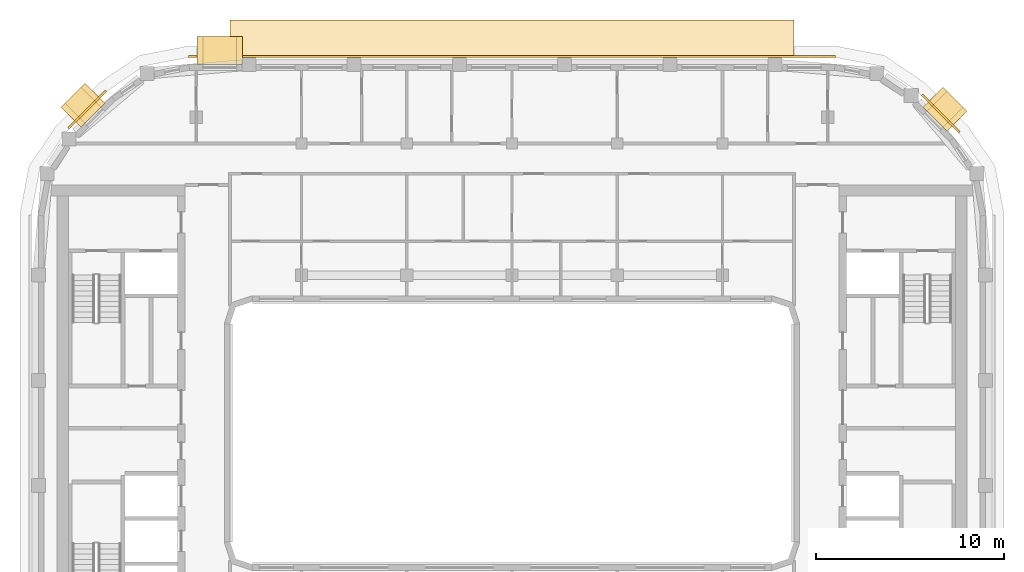
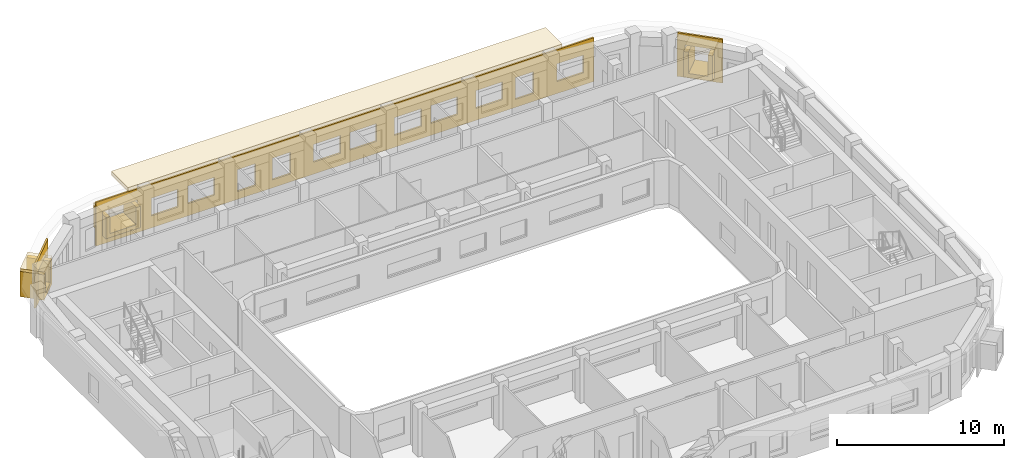
# One storey, part 16 of 16: 10 coverings.
"""IFC4 building model written with IfcOpenShell, lengths in metres."""

from ifc_helpers import new_model, si_unit, direction, frame, origin, origin_2d, place, context, subcontext, project, spatial, polyline, rectangle, outline, extrude, material, layer, layer_set, type_object, element, save


model = new_model("IFC4")

# Units and contexts
model_context = context("Model", 3, precision=1e-05, world=origin(), true_north=direction((0.0, 1.0)))
body_context = subcontext(model_context, "Body", "Model", "MODEL_VIEW")
ifc_project = project(units=[si_unit("LENGTHUNIT", "METRE"), si_unit("AREAUNIT", "SQUARE_METRE"), si_unit("VOLUMEUNIT", "CUBIC_METRE"), si_unit("PLANEANGLEUNIT", "RADIAN"), si_unit("MASSUNIT", "GRAM", prefix="KILO")], contexts=[model_context])

# Site, building, storey
site_placement = place(None, origin())
site = spatial("IfcSite", under=ifc_project, at=site_placement, CompositionType="ELEMENT")
building_placement = place(site_placement, origin())
building = spatial("IfcBuilding", under=site, at=building_placement, Name="Kiln Ring Residences", CompositionType="ELEMENT")
storey_placement = place(building_placement, frame((0.0, 0.0, 276.699951171875)))
storey = spatial("IfcBuildingStorey", under=building, at=storey_placement, Name="L72", CompositionType="ELEMENT", Elevation=276.699951171875)

# Coverings
ifc_material_1 = material(Name="Brick masonry, dark clay brick", Category="masonry")
ifc_layer_1 = layer(ifc_material_1, 0.300048828125)
ifc_layer_set_1 = layer_set([ifc_layer_1], Name="FRAME CHEEKS AND SILL 1500")
covering_type_1 = type_object("IfcCoveringType", Name="FRAME CHEEKS AND SILL 1500", PredefinedType="CLADDING", material=ifc_layer_set_1)
covering_1_placement = place(storey_placement, frame((23.6708984375, 16.58984375, 0.300048828125), z_axis=(0.0, 0.0, 1.0), x_axis=(-0.707106781187, 0.707106781187, 0.0)))
element("IfcCovering", 1, at=covering_1_placement, inside=storey, type_object=covering_type_1, Name="FRAME L72", PredefinedType="CLADDING", context=body_context, shape_type="SweptSolid", body=[
    extrude(outline(polyline([(0.0, 0.0), (1.7998046875, 0.0), (1.800048828125, 1.85009765625), (1.5009765625, 1.85009765625), (1.5, 0.300048828125), (0.300048828125, 0.300048828125), (0.299072265625, 1.85009765625), (0.0, 1.85009765625), (0.0, 0.0)])), frame((0.0, 0.75, 0.0), z_axis=(0.0, -1.0, 0.0), x_axis=(1.0, 0.0, 0.0)), (0.0, 0.0, 1.0), 1.5),
])
covering_2_placement = place(storey_placement, frame((-14.35009765625, 20.35009765625, 0.60009765625), z_axis=(0.0, 0.0, 1.0), x_axis=(-1.0, 0.0, 0.0)))
element("IfcCovering", 2, at=covering_2_placement, inside=storey, type_object=covering_type_1, Name="FRAME L72", PredefinedType="CLADDING", context=body_context, shape_type="SweptSolid", body=[
    extrude(outline(polyline([(0.0, 0.0), (2.39990234375, 0.0), (2.39990234375, 1.550048828125), (2.10107421875, 1.550048828125), (2.10009765625, 0.300048828125), (0.300048828125, 0.300048828125), (0.299072265625, 1.550048828125), (0.0, 1.550048828125), (0.0, 0.0)])), frame((0.0, 0.75, 0.0), z_axis=(0.0, -1.0, 0.0), x_axis=(1.0, 0.0, 0.0)), (0.0, 0.0, 1.0), 1.5),
])
covering_3_placement = place(storey_placement, frame((-22.189697265625, 18.07080078125, 0.300048828125), z_axis=(0.0, 0.0, 1.0), x_axis=(-0.707174592913, -0.707038962956, 0.0)))
element("IfcCovering", 3, at=covering_3_placement, inside=storey, type_object=covering_type_1, Name="FRAME L72", PredefinedType="CLADDING", context=body_context, shape_type="SweptSolid", body=[
    extrude(outline(polyline([(0.0, 0.0), (1.800048828125, 0.0), (1.800048828125, 1.85009765625), (1.5009765625, 1.85009765625), (1.5, 0.300048828125), (0.300048828125, 0.300048828125), (0.299072265625, 1.85009765625), (0.0, 1.85009765625), (0.0, 0.0)])), frame((0.0, 0.75, 0.0), z_axis=(0.0, -1.0, 0.0), x_axis=(1.0, 0.0, 0.0)), (0.0, 0.0, 1.0), 1.5),
])
ifc_material_2 = material(Name="Brick masonry, dark clay brick", Category="masonry")
ifc_layer_2 = layer(ifc_material_2, 0.199951171875)
ifc_layer_set_2 = layer_set([ifc_layer_2], Name="FRAME HEAD 1500")
covering_type_2 = type_object("IfcCoveringType", Name="FRAME HEAD 1500", PredefinedType="CLADDING", material=ifc_layer_set_2)
covering_4_placement = place(storey_placement, frame((23.034423828125, 17.22607421875, 2.14990234375), z_axis=(0.0, 0.0, 1.0), x_axis=(-0.707106781187, 0.707106781187, 0.0)))
element("IfcCovering", 4, at=covering_4_placement, inside=storey, type_object=covering_type_2, Name="FRAME HEAD L72", PredefinedType="CLADDING", context=body_context, shape_type="SweptSolid", body=[
    extrude(rectangle(XDim=1.800048828125, YDim=1.5, at=origin_2d()), origin(), (0.0, 0.0, 1.0), 0.199951171875),
])
covering_5_placement = place(storey_placement, frame((-15.550048828125, 20.35009765625, 2.14990234375), z_axis=(0.0, 0.0, 1.0), x_axis=(-1.0, 0.0, 0.0)))
element("IfcCovering", 5, at=covering_5_placement, inside=storey, type_object=covering_type_2, Name="FRAME HEAD L72", PredefinedType="CLADDING", context=body_context, shape_type="SweptSolid", body=[
    extrude(rectangle(XDim=2.39990234375, YDim=1.5, at=origin_2d()), origin(), (0.0, 0.0, 1.0), 0.199951171875),
])
covering_6_placement = place(storey_placement, frame((-22.826171875, 17.4345703125, 2.14990234375), z_axis=(0.0, 0.0, 1.0), x_axis=(-0.707106781187, -0.707106781187, 0.0)))
element("IfcCovering", 6, at=covering_6_placement, inside=storey, type_object=covering_type_2, Name="FRAME HEAD L72", PredefinedType="CLADDING", context=body_context, shape_type="SweptSolid", body=[
    extrude(rectangle(XDim=1.800048828125, YDim=1.5, at=origin_2d()), origin(), (0.0, 0.0, 1.0), 0.199951171875),
])
ifc_material_3 = material(Name="Brick masonry, dark clay brick", Category="masonry")
ifc_layer_3 = layer(ifc_material_3, 0.1201171875)
ifc_layer_set_3 = layer_set([ifc_layer_3], Name="RAINSCREEN PANEL 120")
covering_type_3 = type_object("IfcCoveringType", Name="RAINSCREEN PANEL 120", PredefinedType="CLADDING", material=ifc_layer_set_3)
covering_7_placement = place(storey_placement, frame((23.810546875, 16.004638671875, 0.0), z_axis=(0.0, 0.0, 1.0), x_axis=(-0.707106781187, 0.707106781187, 0.0)))
element("IfcCovering", 7, at=covering_7_placement, inside=storey, type_object=covering_type_3, Name="RAINSCREEN L72", PredefinedType="CLADDING", context=body_context, shape_type="SweptSolid", body=[
    extrude(outline(polyline([(0.0, 0.0), (2.824951171875, 0.0), (2.824951171875, 3.199951171875), (0.0, 3.199951171875), (0.0, 0.0)]), holes=[polyline([(0.492431640625, 2.3701171875), (0.492431640625, 0.280029296875), (2.33251953125, 0.280029296875), (2.33251953125, 2.3701171875), (0.492431640625, 2.3701171875)])]), frame((0.0, 0.06005859375, 0.0), z_axis=(0.0, -1.0, 0.0), x_axis=(1.0, 0.0, 0.0)), (0.0, 0.0, 1.0), 0.1201171875),
])
covering_8_placement = place(storey_placement, frame((17.199951171875, 20.034912109375, 0.0), z_axis=(0.0, 0.0, 1.0), x_axis=(-1.0, 0.0, 0.0)))
element("IfcCovering", 8, at=covering_8_placement, inside=storey, type_object=covering_type_3, Name="RAINSCREEN L72", PredefinedType="CLADDING", context=body_context, shape_type="SweptSolid", body=[
    extrude(outline(polyline([(0.0, 0.0), (34.39990234375, 0.0), (34.39990234375, 3.199951171875), (0.0, 3.199951171875), (0.0, 0.0)]), holes=[polyline([(4.179931640625, 0.580078125), (5.419921875, 0.580078125), (5.419921875, 2.170166015625), (4.179931640625, 2.170166015625), (4.179931640625, 0.580078125)]), polyline([(0.72998046875, 2.170166015625), (0.72998046875, 0.880126953125), (2.570068359375, 0.880126953125), (2.570068359375, 2.170166015625), (0.72998046875, 2.170166015625)]), polyline([(6.330078125, 2.170166015625), (6.330078125, 0.880126953125), (8.169921875, 0.880126953125), (8.169921875, 2.170166015625), (6.330078125, 2.170166015625)]), polyline([(9.429931640625, 0.880126953125), (11.27001953125, 0.880126953125), (11.27001953125, 2.170166015625), (9.429931640625, 2.170166015625), (9.429931640625, 0.880126953125)]), polyline([(11.929931640625, 2.170166015625), (11.929931640625, 0.880126953125), (13.77001953125, 0.880126953125), (13.77001953125, 2.170166015625), (11.929931640625, 2.170166015625)]), polyline([(15.030029296875, 2.170166015625), (15.030029296875, 0.880126953125), (16.8701171875, 0.880126953125), (16.8701171875, 2.170166015625), (15.030029296875, 2.170166015625)]), polyline([(20.97998046875, 0.580078125), (22.219970703125, 0.580078125), (22.219970703125, 2.170166015625), (20.97998046875, 2.170166015625), (20.97998046875, 0.580078125)]), polyline([(23.3798828125, 2.170166015625), (23.3798828125, 0.580078125), (24.6201171875, 0.580078125), (24.6201171875, 2.170166015625), (23.3798828125, 2.170166015625)]), polyline([(31.530029296875, 2.3701171875), (31.530029296875, 0.580078125), (33.969970703125, 0.580078125), (33.969970703125, 2.3701171875), (31.530029296875, 2.3701171875)]), polyline([(17.530029296875, 0.880126953125), (19.3701171875, 0.880126953125), (19.3701171875, 2.170166015625), (17.530029296875, 2.170166015625), (17.530029296875, 0.880126953125)]), polyline([(26.22998046875, 2.170166015625), (26.22998046875, 0.880126953125), (28.070068359375, 0.880126953125), (28.070068359375, 2.170166015625), (26.22998046875, 2.170166015625)]), polyline([(28.72998046875, 2.170166015625), (28.72998046875, 0.880126953125), (30.570068359375, 0.880126953125), (30.570068359375, 2.170166015625), (28.72998046875, 2.170166015625)])]), frame((0.0, 0.06005859375, 0.0), z_axis=(0.0, -1.0, 0.0), x_axis=(1.0, 0.0, 0.0)), (0.0, 0.0, 1.0), 0.1201171875),
])
covering_9_placement = place(storey_placement, frame((-21.604736328125, 18.21044921875, 0.0), z_axis=(0.0, 0.0, 1.0), x_axis=(-0.707106781187, -0.707106781187, 0.0)))
element("IfcCovering", 9, at=covering_9_placement, inside=storey, type_object=covering_type_3, Name="RAINSCREEN L72", PredefinedType="CLADDING", context=body_context, shape_type="SweptSolid", body=[
    extrude(outline(polyline([(0.0, 0.0), (2.824951171875, 0.0), (2.824951171875, 3.199951171875), (0.0, 3.199951171875), (0.0, 0.0)]), holes=[polyline([(0.492431640625, 2.3701171875), (0.492431640625, 0.280029296875), (2.33251953125, 0.280029296875), (2.33251953125, 2.3701171875), (0.492431640625, 2.3701171875)])]), frame((0.0, 0.06005859375, 0.0), z_axis=(0.0, -1.0, 0.0), x_axis=(1.0, 0.0, 0.0)), (0.0, 0.0, 1.0), 0.1201171875),
])
ifc_material_4 = material(Name="Black powder-coated steel", Category="steel")
ifc_layer_4 = layer(ifc_material_4, 0.300048828125)
ifc_layer_set_4 = layer_set([ifc_layer_4], Name="SUNSHADE BAND 2000")
covering_type_4 = type_object("IfcCoveringType", Name="SUNSHADE BAND 2000", PredefinedType="CLADDING", material=ifc_layer_set_4)
covering_10_placement = place(storey_placement, frame((0.0, 0.0, 3.199951171875)))
element("IfcCovering", 10, at=covering_10_placement, inside=storey, type_object=covering_type_4, Name="SUNSHADE BAND L72", PredefinedType="CLADDING", context=body_context, shape_type="SweptSolid", body=[
    extrude(outline(polyline([(15.0, 21.97509765625), (-15.0, 21.97509765625), (-15.0, 19.97509765625), (15.0, 19.97509765625), (15.0, 21.97509765625)])), origin(), (0.0, 0.0, 1.0), 0.300048828125),
])

save(model, "model.ifc")
